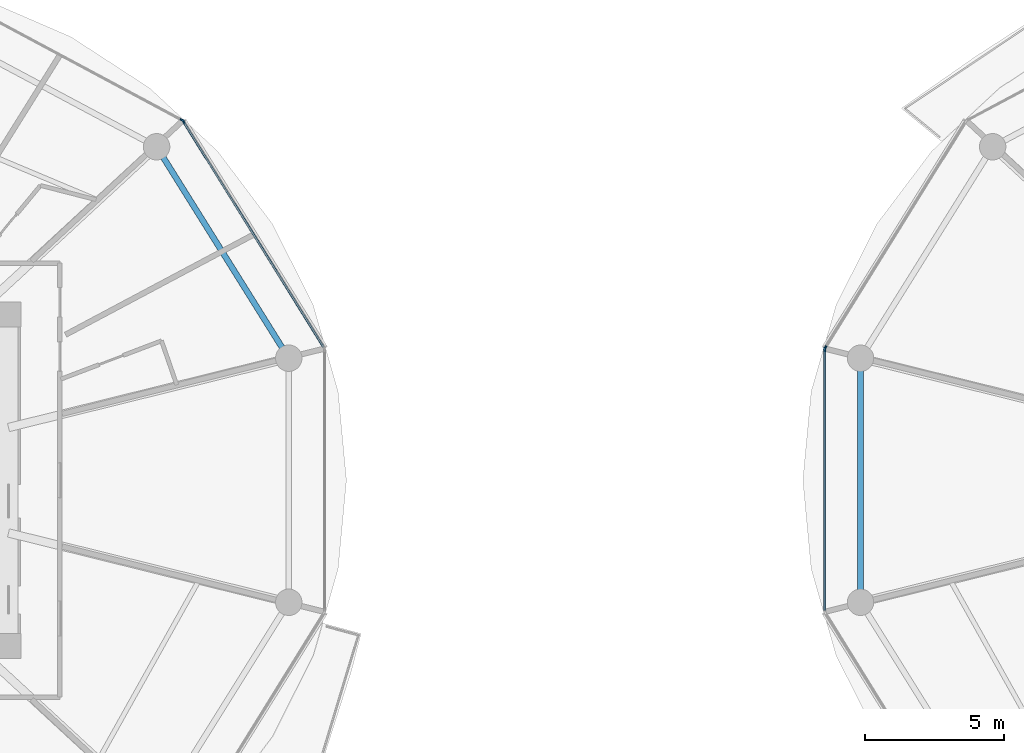
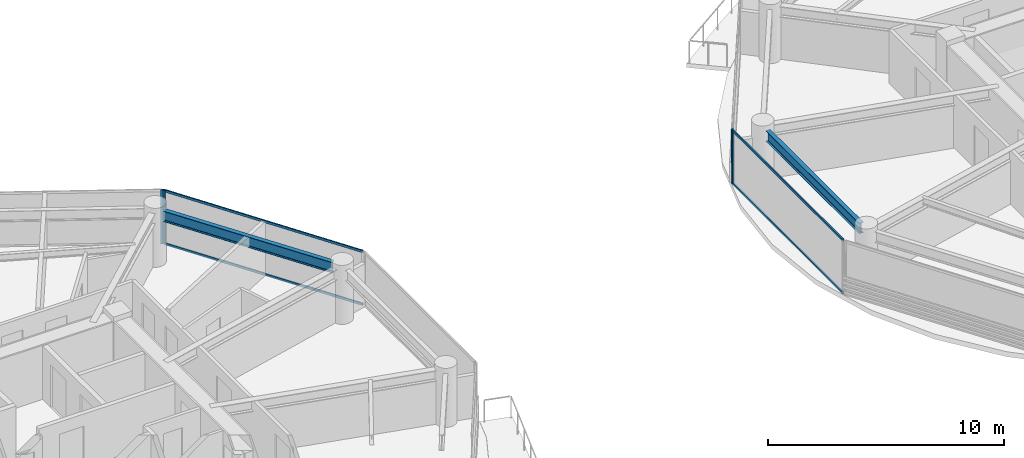
# One storey, part 7 of 26: 8 members, 2 beams, 4 elements without a shape of their own.
"""IFC4 building model written with IfcOpenShell, lengths in metres."""

from ifc_helpers import new_model, si_unit, direction, frame, origin, origin_2d, place, context, subcontext, project, spatial, rectangle, i_section, extrude, source, transform, mapped, material, layer, layer_set, material_profile, profile_set, type_object, type_shapes, element, aggregate, save


model = new_model("IFC4")

# Units and contexts
model_context = context("Model", 3, precision=1e-05, world=origin(), true_north=direction((0.0, 1.0)))
body_context = subcontext(model_context, "Body", "Model", "MODEL_VIEW")
ifc_project = project(units=[si_unit("LENGTHUNIT", "METRE"), si_unit("AREAUNIT", "SQUARE_METRE"), si_unit("VOLUMEUNIT", "CUBIC_METRE"), si_unit("PLANEANGLEUNIT", "RADIAN"), si_unit("MASSUNIT", "GRAM", prefix="KILO")], contexts=[model_context])

# Site, building, storey
site_placement = place(None, origin())
site = spatial("IfcSite", under=ifc_project, at=site_placement, CompositionType="ELEMENT")
building_placement = place(site_placement, origin())
building = spatial("IfcBuilding", under=site, at=building_placement, Name="Norrkilde Senior Care Towers", CompositionType="ELEMENT")
storey_placement = place(building_placement, frame((0.0, 0.0, 55.14990234375)))
storey = spatial("IfcBuildingStorey", under=building, at=storey_placement, Name="L16", CompositionType="ELEMENT", Elevation=55.14990234375)

# Beams
ifc_material_1 = material(Name="Steel S355", Category="steel")
ifc_material_profile_1 = material_profile(ifc_material_1, i_section(OverallWidth=0.2099609375, OverallDepth=0.550048828125, WebThickness=0.010986328125, FlangeThickness=0.01708984375, FilletRadius=0.02392578125, at=origin_2d()), Name="IPE 550")
ifc_profile_set_1 = profile_set([ifc_material_profile_1], Name="Steel S355")
beam_type = type_object("IfcBeamType", Name="Perimeter Ring Spandrel Z1 IPE550", PredefinedType="SPANDREL", material=ifc_profile_set_1)
shared_shape_1 = source(origin(), body_context, "Body", "SweptSolid", [
    extrude(i_section(OverallWidth=0.2099609375, OverallDepth=0.550048828125, WebThickness=0.010986328125, FlangeThickness=0.01708984375, FilletRadius=0.02392578125, at=origin_2d()), origin(), (0.0, 0.0, 1.0), 8.090576171875),
])
beam_1_placement = place(storey_placement, frame((-10.505859375, 4.755859375, 2.51513671875), z_axis=(-0.530004364821, 0.84799491347, 0.0), x_axis=(-0.84799491347, -0.530004364821, 0.0)))
element("IfcBeam", 1, at=beam_1_placement, inside=storey, type_object=beam_type, Name="L16 Drum W Perimeter Spandrel 01", PredefinedType="SPANDREL", context=body_context, shape_type="MappedRepresentation", body=[
    mapped(shared_shape_1, transform((0.0, 0.0, 0.0), x_axis=(1.0, 0.0, 0.0), y_axis=(0.0, 1.0, 0.0), z_axis=(0.0, 0.0, 1.0), scale=1.0)),
])
shared_shape_2 = source(origin(), body_context, "Body", "SweptSolid", [
    extrude(i_section(OverallWidth=0.2099609375, OverallDepth=0.550048828125, WebThickness=0.010986328125, FlangeThickness=0.01708984375, FilletRadius=0.02392578125, at=origin_2d()), origin(), (0.0, 0.0, 1.0), 7.90380859375),
])
type_shapes(beam_type, [shared_shape_1, shared_shape_2])
beam_2_placement = place(storey_placement, frame((10.275146484375, 3.951904296875, 2.51513671875), z_axis=(0.0, -1.0, 0.0), x_axis=(1.0, 0.0, 0.0)))
element("IfcBeam", 2, at=beam_2_placement, inside=storey, type_object=beam_type, Name="L16 Drum E Perimeter Spandrel 06", PredefinedType="SPANDREL", context=body_context, shape_type="MappedRepresentation", body=[
    mapped(shared_shape_2, transform((0.0, 0.0, 0.0), x_axis=(1.0, 0.0, 0.0), y_axis=(0.0, 1.0, 0.0), z_axis=(0.0, 0.0, 1.0), scale=1.0)),
])

# Curtain wall, member
ifc_material_2 = material(Name="Triple Low-E Insulated Glazing", Category="glass")
ifc_layer = layer(ifc_material_2, 0.199951171875)
ifc_layer_set = layer_set([ifc_layer], Name="Triple Low-E Insulated Glazing")
curtain_wall_type = type_object("IfcCurtainWallType", Name="CW2 Zone 1 Memory Care Curtain Wall", PredefinedType="NOTDEFINED", material=ifc_layer_set)
curtain_wall_1_placement = place(storey_placement, origin())
curtain_wall_1 = element("IfcCurtainWall", 3, at=curtain_wall_1_placement, inside=storey, type_object=curtain_wall_type, Name="L16 Drum W Curtain Wall 00", PredefinedType="NOTDEFINED")
ifc_material_3 = material(Name="Anodised Aluminium", Category="aluminium")
ifc_material_profile_2 = material_profile(ifc_material_3, rectangle(XDim=0.06494140625, YDim=0.159912109375, at=origin_2d()), Name="ALU MULL 65x160")
ifc_profile_set_2 = profile_set([ifc_material_profile_2], Name="Anodised Aluminium")
member_type_1 = type_object("IfcMemberType", Name="Curtain Wall Mullion Z1-Z2 65x160", PredefinedType="MULLION", material=ifc_profile_set_2)
shared_shape_3 = source(origin(), body_context, "Body", "SweptSolid", [
    extrude(rectangle(XDim=0.06494140625, YDim=0.159912109375, at=origin_2d()), origin(), (0.0, 0.0, 1.0), 2.7900390625),
])
type_shapes(member_type_1, [shared_shape_3])
member_1_placement = place(storey_placement, frame((-14.06689453125, 12.898193359375, 0.0), z_axis=(0.0, 0.0, 1.0), x_axis=(0.849305943117, 0.527900951871, 0.0)))
member_1 = element("IfcMember", 4, at=member_1_placement, type_object=member_type_1, Name="CW-2 mullion 1", PredefinedType="MULLION", context=body_context, shape_type="MappedRepresentation", body=[
    mapped(shared_shape_3, transform((0.0, 0.0, 0.0), x_axis=(1.0, 0.0, 0.0), y_axis=(0.0, 1.0, 0.0), z_axis=(0.0, 0.0, 1.0), scale=1.0)),
])

curtain_wall_2_placement = place(storey_placement, origin())
curtain_wall_2 = element("IfcCurtainWall", 5, at=curtain_wall_2_placement, inside=storey, type_object=curtain_wall_type, Name="L16 Drum W Curtain Wall 01", PredefinedType="NOTDEFINED")
member_2_placement = place(storey_placement, frame((-14.11279296875, 12.941162109375, 0.0), z_axis=(0.0, 0.0, 1.0), x_axis=(0.472607802456, 0.881272866403, 0.0)))
member_2 = element("IfcMember", 6, at=member_2_placement, type_object=member_type_1, Name="CW-2 mullion 2", PredefinedType="MULLION", context=body_context, shape_type="MappedRepresentation", body=[
    mapped(shared_shape_3, transform((0.0, 0.0, 0.0), x_axis=(1.0, 0.0, 0.0), y_axis=(0.0, 1.0, 0.0), z_axis=(0.0, 0.0, 1.0), scale=1.0)),
])
aggregate(curtain_wall_2, [member_2])

curtain_wall_3_placement = place(storey_placement, origin())
curtain_wall_3 = element("IfcCurtainWall", 7, at=curtain_wall_3_placement, inside=storey, type_object=curtain_wall_type, Name="L16 Drum E Curtain Wall 04", PredefinedType="NOTDEFINED")
member_3_placement = place(storey_placement, frame((9.0078125, 4.7587890625, 0.0), z_axis=(0.0, 0.0, 1.0), x_axis=(-0.849305943117, 0.527900951871, 0.0)))
member_3 = element("IfcMember", 8, at=member_3_placement, type_object=member_type_1, Name="CW-2 mullion 1", PredefinedType="MULLION", context=body_context, shape_type="MappedRepresentation", body=[
    mapped(shared_shape_3, transform((0.0, 0.0, 0.0), x_axis=(1.0, 0.0, 0.0), y_axis=(0.0, 1.0, 0.0), z_axis=(0.0, 0.0, 1.0), scale=1.0)),
])
aggregate(curtain_wall_3, [member_3])

curtain_wall_4_placement = place(storey_placement, origin())
curtain_wall_4 = element("IfcCurtainWall", 9, at=curtain_wall_4_placement, inside=storey, type_object=curtain_wall_type, Name="L16 Drum E Curtain Wall 05", PredefinedType="NOTDEFINED")
member_4_placement = place(storey_placement, frame((8.990478515625, 4.69873046875, 0.0), z_axis=(0.0, 0.0, 1.0), x_axis=(-1.0, 0.0, 0.0)))
member_4 = element("IfcMember", 10, at=member_4_placement, type_object=member_type_1, Name="CW-2 mullion 2", PredefinedType="MULLION", context=body_context, shape_type="MappedRepresentation", body=[
    mapped(shared_shape_3, transform((0.0, 0.0, 0.0), x_axis=(1.0, 0.0, 0.0), y_axis=(0.0, 1.0, 0.0), z_axis=(0.0, 0.0, 1.0), scale=1.0)),
])

# Member
ifc_material_profile_3 = material_profile(ifc_material_3, rectangle(XDim=0.06005859375, YDim=0.1201171875, at=origin_2d()), Name="ALU TRAN 60x120")
ifc_profile_set_3 = profile_set([ifc_material_profile_3], Name="Anodised Aluminium")
member_type_2 = type_object("IfcMemberType", Name="Curtain Wall Transom Typical 60x120", PredefinedType="USERDEFINED", material=ifc_profile_set_3)
shared_shape_4 = source(origin(), body_context, "Body", "SweptSolid", [
    extrude(rectangle(XDim=0.06005859375, YDim=0.1201171875, at=origin_2d()), origin(), (0.0, 0.0, 1.0), 9.5185546875),
])
member_5_placement = place(storey_placement, frame((-14.0498046875, 12.87060546875, 0.030029296875), z_axis=(0.527901620669, -0.849305527413, 0.0), x_axis=(0.849305527413, 0.527901620669, 0.0)))
member_5 = element("IfcMember", 11, at=member_5_placement, type_object=member_type_2, Name="CW-2 transom 1.1", ObjectType="TRANSOM", PredefinedType="USERDEFINED", context=body_context, shape_type="MappedRepresentation", body=[
    mapped(shared_shape_4, transform((0.0, 0.0, 0.0), x_axis=(1.0, 0.0, 0.0), y_axis=(0.0, 1.0, 0.0), z_axis=(0.0, 0.0, 1.0), scale=1.0)),
])

member_6_placement = place(storey_placement, frame((-14.0498046875, 12.87060546875, 2.760009765625), z_axis=(0.527901620669, -0.849305527413, 0.0), x_axis=(0.849305527413, 0.527901620669, 0.0)))
member_6 = element("IfcMember", 12, at=member_6_placement, type_object=member_type_2, Name="CW-2 transom 1.2", ObjectType="TRANSOM", PredefinedType="USERDEFINED", context=body_context, shape_type="MappedRepresentation", body=[
    mapped(shared_shape_4, transform((0.0, 0.0, 0.0), x_axis=(1.0, 0.0, 0.0), y_axis=(0.0, 1.0, 0.0), z_axis=(0.0, 0.0, 1.0), scale=1.0)),
])

aggregate(curtain_wall_1, [member_1, member_5, member_6])

shared_shape_5 = source(origin(), body_context, "Body", "SweptSolid", [
    extrude(rectangle(XDim=0.06005859375, YDim=0.1201171875, at=origin_2d()), origin(), (0.0, 0.0, 1.0), 9.33251953125),
])
type_shapes(member_type_2, [shared_shape_4, shared_shape_5])
member_7_placement = place(storey_placement, frame((8.990478515625, -4.666259765625, 0.030029296875), z_axis=(0.0, 1.0, 0.0), x_axis=(-1.0, 0.0, 0.0)))
member_7 = element("IfcMember", 13, at=member_7_placement, type_object=member_type_2, Name="CW-2 transom 1.1", ObjectType="TRANSOM", PredefinedType="USERDEFINED", context=body_context, shape_type="MappedRepresentation", body=[
    mapped(shared_shape_5, transform((0.0, 0.0, 0.0), x_axis=(1.0, 0.0, 0.0), y_axis=(0.0, 1.0, 0.0), z_axis=(0.0, 0.0, 1.0), scale=1.0)),
])

member_8_placement = place(storey_placement, frame((8.990478515625, -4.666259765625, 2.760009765625), z_axis=(0.0, 1.0, 0.0), x_axis=(-1.0, 0.0, 0.0)))
member_8 = element("IfcMember", 14, at=member_8_placement, type_object=member_type_2, Name="CW-2 transom 1.2", ObjectType="TRANSOM", PredefinedType="USERDEFINED", context=body_context, shape_type="MappedRepresentation", body=[
    mapped(shared_shape_5, transform((0.0, 0.0, 0.0), x_axis=(1.0, 0.0, 0.0), y_axis=(0.0, 1.0, 0.0), z_axis=(0.0, 0.0, 1.0), scale=1.0)),
])

aggregate(curtain_wall_4, [member_4, member_7, member_8])

save(model, "model.ifc")
